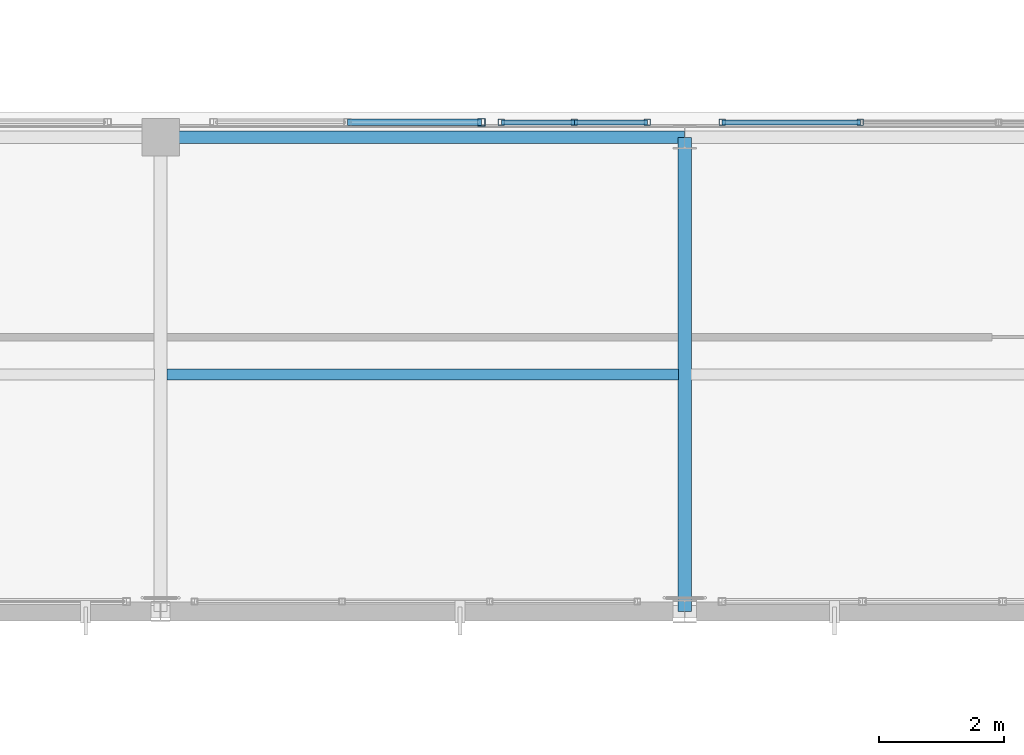
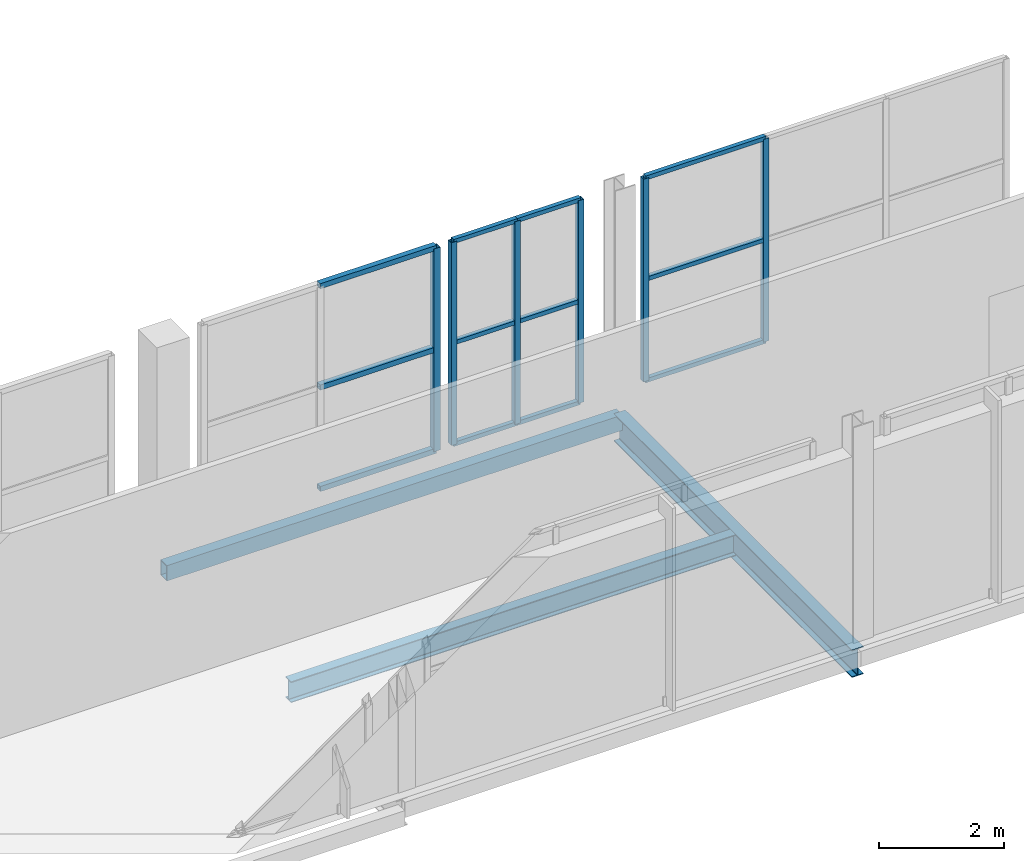
# One storey, part 47 of 217: 18 members, 3 beams, 3 elements without a shape of their own.
"""IFC4 building model written with IfcOpenShell, lengths in metres."""

from ifc_helpers import new_model, si_unit, direction, frame, origin, origin_2d, place, context, subcontext, project, spatial, hollow_rectangle, i_section, extrude, material, material_profile, profile_set, type_object, element, aggregate, save


model = new_model("IFC4")

# Units and contexts
model_context = context("Model", 3, precision=1e-05, world=origin(), true_north=direction((0.0, 1.0)))
body_context = subcontext(model_context, "Body", "Model", "MODEL_VIEW")
ifc_project = project(units=[si_unit("LENGTHUNIT", "METRE"), si_unit("AREAUNIT", "SQUARE_METRE"), si_unit("VOLUMEUNIT", "CUBIC_METRE"), si_unit("PLANEANGLEUNIT", "RADIAN"), si_unit("MASSUNIT", "GRAM", prefix="KILO")], contexts=[model_context])

# Site, building, storey
site_placement = place(None, origin())
site = spatial("IfcSite", under=ifc_project, at=site_placement, CompositionType="ELEMENT")
building_placement = place(site_placement, origin())
building = spatial("IfcBuilding", under=site, at=building_placement, Name="Zuvorla Pavilion Media Centre", CompositionType="ELEMENT")
storey_placement = place(building_placement, frame((0.0, 0.0, 9.60009765625)))
storey = spatial("IfcBuildingStorey", under=building, at=storey_placement, Name="L02", CompositionType="ELEMENT", Elevation=9.60009765625)

# Beams
ifc_material_1 = material(Name="Steel S355", Category="steel")
ifc_material_profile_1 = material_profile(ifc_material_1, hollow_rectangle(XDim=0.199951171875, YDim=0.300048828125, WallThickness=0.012451171875, at=origin_2d()), Name="RHS 300x200x12.5")
ifc_profile_set_1 = profile_set([ifc_material_profile_1], Name="Steel S355")
beam_type_1 = type_object("IfcBeamType", Name="BM-SP-RHS300", PredefinedType="SPANDREL", material=ifc_profile_set_1)
beam_1_placement = place(storey_placement, frame((117.199951171875, 51.60009765625, -0.418212890625), z_axis=(1.0, 0.0, 0.0), x_axis=(0.0, 1.0, 0.0)))
element("IfcBeam", 1, at=beam_1_placement, inside=storey, type_object=beam_type_1, Name="L02 spandrel SP01 847", PredefinedType="SPANDREL", context=body_context, shape_type="SweptSolid", body=[
    extrude(hollow_rectangle(XDim=0.199951171875, YDim=0.300048828125, WallThickness=0.012451171875, at=origin_2d()), origin(), (0.0, 0.0, 1.0), 8.400146484375),
])
ifc_material_profile_2 = material_profile(ifc_material_1, i_section(OverallWidth=0.1787109375, OverallDepth=0.409423828125, WebThickness=0.0087890625, FlangeThickness=0.014404296875, FilletRadius=0.01025390625, at=origin_2d()), Name="UB 406x178x67")
ifc_profile_set_2 = profile_set([ifc_material_profile_2], Name="Steel S355")
beam_type_2 = type_object("IfcBeamType", Name="BM-UB406", PredefinedType="JOIST", material=ifc_profile_set_2)
beam_2_placement = place(storey_placement, frame((117.300048828125, 47.800048828125, -0.472900390625), z_axis=(1.0, 0.0, 0.0), x_axis=(0.0, 1.0, 0.0)))
element("IfcBeam", 2, at=beam_2_placement, inside=storey, type_object=beam_type_2, Name="L02 joist J02 1032", PredefinedType="JOIST", context=body_context, shape_type="SweptSolid", body=[
    extrude(i_section(OverallWidth=0.1787109375, OverallDepth=0.409423828125, WebThickness=0.0087890625, FlangeThickness=0.014404296875, FilletRadius=0.01025390625, at=origin_2d()), origin(), (0.0, 0.0, 1.0), 8.199951171875),
])
ifc_material_profile_3 = material_profile(ifc_material_1, i_section(OverallWidth=0.2099609375, OverallDepth=0.53662109375, WebThickness=0.0107421875, FlangeThickness=0.017333984375, FilletRadius=0.0126953125, at=origin_2d()), Name="UB 533x210x101")
ifc_profile_set_3 = profile_set([ifc_material_profile_3], Name="Steel S355")
beam_type_3 = type_object("IfcBeamType", Name="BM-UB533", PredefinedType="BEAM", material=ifc_profile_set_3)
beam_3_placement = place(storey_placement, frame((125.60009765625, 44.0, -0.536376953125), z_axis=(0.0, 1.0, 0.0), x_axis=(-1.0, 0.0, 0.0)))
element("IfcBeam", 3, at=beam_3_placement, inside=storey, type_object=beam_type_3, Name="L02 beam B08 963", PredefinedType="BEAM", context=body_context, shape_type="SweptSolid", body=[
    extrude(i_section(OverallWidth=0.2099609375, OverallDepth=0.53662109375, WebThickness=0.0107421875, FlangeThickness=0.017333984375, FilletRadius=0.0126953125, at=origin_2d()), origin(), (0.0, 0.0, 1.0), 7.60009765625),
])

# Curtain wall, members
ifc_material_2 = material(Name="Unitised anodised aluminium and solar glass curtain wall", Category="aluminium")
curtain_wall_type_1 = type_object("IfcCurtainWallType", Name="CW-SYS-53", PredefinedType="USERDEFINED", material=ifc_material_2)
curtain_wall_1_placement = place(storey_placement, origin())
curtain_wall_1 = element("IfcCurtainWall", 4, at=curtain_wall_1_placement, inside=storey, type_object=curtain_wall_type_1, Name="L02 curtain wall CW53 79", ObjectType="CURTAIN WALL", PredefinedType="USERDEFINED")
ifc_material_3 = material(Name="Anodised aluminium 6063-T6", Category="aluminium")
ifc_material_profile_4 = material_profile(ifc_material_3, hollow_rectangle(XDim=0.10009765625, YDim=0.10009765625, WallThickness=0.00439453125, at=origin_2d()), Name="ALU MULL 100x100")
ifc_profile_set_4 = profile_set([ifc_material_profile_4], Name="Anodised aluminium 6063-T6")
member_type_1 = type_object("IfcMemberType", Name="CW-MULL-100", PredefinedType="MULLION", material=ifc_profile_set_4)
member_1_placement = place(storey_placement, frame((122.659912109375, 51.840087890625, 0.0), z_axis=(0.0, 0.0, 1.0), x_axis=(1.0, 0.0, 0.0)))
member_1 = element("IfcMember", 5, at=member_1_placement, type_object=member_type_1, Name="CW53 mullion 1", PredefinedType="MULLION", context=body_context, shape_type="SweptSolid", body=[
    extrude(hollow_rectangle(XDim=0.10009765625, YDim=0.10009765625, WallThickness=0.00439453125, at=origin_2d()), origin(), (0.0, 0.0, 1.0), 3.949951171875),
])
member_2_placement = place(storey_placement, frame((123.829833984375, 51.840087890625, 0.0), z_axis=(0.0, 0.0, 1.0), x_axis=(1.0, 0.0, 0.0)))
member_2 = element("IfcMember", 6, at=member_2_placement, type_object=member_type_1, Name="CW53 mullion 2", PredefinedType="MULLION", context=body_context, shape_type="SweptSolid", body=[
    extrude(hollow_rectangle(XDim=0.10009765625, YDim=0.10009765625, WallThickness=0.00439453125, at=origin_2d()), origin(), (0.0, 0.0, 1.0), 3.949951171875),
])
member_3_placement = place(storey_placement, frame((124.999755859375, 51.840087890625, 0.0), z_axis=(0.0, 0.0, 1.0), x_axis=(1.0, 0.0, 0.0)))
member_3 = element("IfcMember", 7, at=member_3_placement, type_object=member_type_1, Name="CW53 mullion 3", PredefinedType="MULLION", context=body_context, shape_type="SweptSolid", body=[
    extrude(hollow_rectangle(XDim=0.10009765625, YDim=0.10009765625, WallThickness=0.00439453125, at=origin_2d()), origin(), (0.0, 0.0, 1.0), 3.949951171875),
])

curtain_wall_type_2 = type_object("IfcCurtainWallType", Name="CW-SYS-54", PredefinedType="USERDEFINED", material=ifc_material_2)
curtain_wall_2_placement = place(storey_placement, origin())
curtain_wall_2 = element("IfcCurtainWall", 8, at=curtain_wall_2_placement, inside=storey, type_object=curtain_wall_type_2, Name="L02 curtain wall CW54 80", ObjectType="CURTAIN WALL", PredefinedType="USERDEFINED")
member_4_placement = place(storey_placement, frame((126.2001953125, 51.840087890625, 0.0), z_axis=(0.0, 0.0, 1.0), x_axis=(1.0, 0.0, 0.0)))
member_4 = element("IfcMember", 9, at=member_4_placement, type_object=member_type_1, Name="CW54 mullion 1", PredefinedType="MULLION", context=body_context, shape_type="SweptSolid", body=[
    extrude(hollow_rectangle(XDim=0.10009765625, YDim=0.10009765625, WallThickness=0.00439453125, at=origin_2d()), origin(), (0.0, 0.0, 1.0), 3.949951171875),
])
member_5_placement = place(storey_placement, frame((128.41357421875, 51.840087890625, 0.0), z_axis=(0.0, 0.0, 1.0), x_axis=(1.0, 0.0, 0.0)))
member_5 = element("IfcMember", 10, at=member_5_placement, type_object=member_type_1, Name="CW54 mullion 2", PredefinedType="MULLION", context=body_context, shape_type="SweptSolid", body=[
    extrude(hollow_rectangle(XDim=0.10009765625, YDim=0.10009765625, WallThickness=0.00439453125, at=origin_2d()), origin(), (0.0, 0.0, 1.0), 3.949951171875),
])

curtain_wall_type_3 = type_object("IfcCurtainWallType", Name="CW-SYS-42", PredefinedType="USERDEFINED", material=ifc_material_2)
curtain_wall_3_placement = place(storey_placement, origin())
curtain_wall_3 = element("IfcCurtainWall", 11, at=curtain_wall_3_placement, inside=storey, type_object=curtain_wall_type_3, Name="L02 curtain wall CW42 76", ObjectType="CURTAIN WALL", PredefinedType="USERDEFINED")
ifc_material_profile_5 = material_profile(ifc_material_3, hollow_rectangle(XDim=0.1201171875, YDim=0.1201171875, WallThickness=0.0048828125, at=origin_2d()), Name="ALU MULL 120x120")
ifc_profile_set_5 = profile_set([ifc_material_profile_5], Name="Anodised aluminium 6063-T6")
member_type_2 = type_object("IfcMemberType", Name="CW-MULL-120", PredefinedType="MULLION", material=ifc_profile_set_5)
member_6_placement = place(storey_placement, frame((122.340087890625, 51.840087890625, 0.0), z_axis=(0.0, 0.0, 1.0), x_axis=(1.0, 0.0, 0.0)))
member_6 = element("IfcMember", 12, at=member_6_placement, type_object=member_type_2, Name="CW42 mullion 3", PredefinedType="MULLION", context=body_context, shape_type="SweptSolid", body=[
    extrude(hollow_rectangle(XDim=0.1201171875, YDim=0.1201171875, WallThickness=0.0048828125, at=origin_2d()), origin(), (0.0, 0.0, 1.0), 3.949951171875),
])
ifc_material_profile_6 = material_profile(ifc_material_3, hollow_rectangle(XDim=0.10009765625, YDim=0.10009765625, WallThickness=0.00439453125, at=origin_2d()), Name="ALU TRAN 100x100")
ifc_profile_set_6 = profile_set([ifc_material_profile_6], Name="Anodised aluminium 6063-T6")
member_type_3 = type_object("IfcMemberType", Name="CW-TRAN-100", PredefinedType="USERDEFINED", material=ifc_profile_set_6)
member_7_placement = place(storey_placement, frame((120.195068359375, 51.840087890625, 0.0), z_axis=(1.0, 0.0, 0.0), x_axis=(0.0, 1.0, 0.0)))
member_7 = element("IfcMember", 13, at=member_7_placement, type_object=member_type_3, Name="CW42 transom 2.1", ObjectType="TRANSOM", PredefinedType="USERDEFINED", context=body_context, shape_type="SweptSolid", body=[
    extrude(hollow_rectangle(XDim=0.10009765625, YDim=0.10009765625, WallThickness=0.00439453125, at=origin_2d()), origin(), (0.0, 0.0, 1.0), 2.14501953125),
])
member_8_placement = place(storey_placement, frame((120.195068359375, 51.840087890625, 1.974853515625), z_axis=(1.0, 0.0, 0.0), x_axis=(0.0, 1.0, 0.0)))
member_8 = element("IfcMember", 14, at=member_8_placement, type_object=member_type_3, Name="CW42 transom 2.2", ObjectType="TRANSOM", PredefinedType="USERDEFINED", context=body_context, shape_type="SweptSolid", body=[
    extrude(hollow_rectangle(XDim=0.10009765625, YDim=0.10009765625, WallThickness=0.00439453125, at=origin_2d()), origin(), (0.0, 0.0, 1.0), 2.14501953125),
])
member_9_placement = place(storey_placement, frame((120.195068359375, 51.840087890625, 3.949951171875), z_axis=(1.0, 0.0, 0.0), x_axis=(0.0, 1.0, 0.0)))
member_9 = element("IfcMember", 15, at=member_9_placement, type_object=member_type_3, Name="CW42 transom 2.3", ObjectType="TRANSOM", PredefinedType="USERDEFINED", context=body_context, shape_type="SweptSolid", body=[
    extrude(hollow_rectangle(XDim=0.10009765625, YDim=0.10009765625, WallThickness=0.00439453125, at=origin_2d()), origin(), (0.0, 0.0, 1.0), 2.14501953125),
])
aggregate(curtain_wall_3, [member_6, member_7, member_8, member_9])

# Member
ifc_material_profile_7 = material_profile(ifc_material_3, hollow_rectangle(XDim=0.080078125, YDim=0.080078125, WallThickness=0.00390625, at=origin_2d()), Name="ALU TRAN 80x80")
ifc_profile_set_7 = profile_set([ifc_material_profile_7], Name="Anodised aluminium 6063-T6")
member_type_4 = type_object("IfcMemberType", Name="CW-TRAN-80", PredefinedType="USERDEFINED", material=ifc_profile_set_7)
member_10_placement = place(storey_placement, frame((122.659912109375, 51.840087890625, 0.0), z_axis=(1.0, 0.0, 0.0), x_axis=(0.0, 1.0, 0.0)))
member_10 = element("IfcMember", 16, at=member_10_placement, type_object=member_type_4, Name="CW53 transom 1.1", ObjectType="TRANSOM", PredefinedType="USERDEFINED", context=body_context, shape_type="SweptSolid", body=[
    extrude(hollow_rectangle(XDim=0.080078125, YDim=0.080078125, WallThickness=0.00390625, at=origin_2d()), origin(), (0.0, 0.0, 1.0), 1.169921875),
])

member_11_placement = place(storey_placement, frame((122.659912109375, 51.840087890625, 1.974853515625), z_axis=(1.0, 0.0, 0.0), x_axis=(0.0, 1.0, 0.0)))
member_11 = element("IfcMember", 17, at=member_11_placement, type_object=member_type_4, Name="CW53 transom 1.2", ObjectType="TRANSOM", PredefinedType="USERDEFINED", context=body_context, shape_type="SweptSolid", body=[
    extrude(hollow_rectangle(XDim=0.080078125, YDim=0.080078125, WallThickness=0.00390625, at=origin_2d()), origin(), (0.0, 0.0, 1.0), 1.169921875),
])

member_12_placement = place(storey_placement, frame((122.659912109375, 51.840087890625, 3.949951171875), z_axis=(1.0, 0.0, 0.0), x_axis=(0.0, 1.0, 0.0)))
member_12 = element("IfcMember", 18, at=member_12_placement, type_object=member_type_4, Name="CW53 transom 1.3", ObjectType="TRANSOM", PredefinedType="USERDEFINED", context=body_context, shape_type="SweptSolid", body=[
    extrude(hollow_rectangle(XDim=0.080078125, YDim=0.080078125, WallThickness=0.00390625, at=origin_2d()), origin(), (0.0, 0.0, 1.0), 1.169921875),
])

member_13_placement = place(storey_placement, frame((123.829833984375, 51.840087890625, 0.0), z_axis=(1.0, 0.0, 0.0), x_axis=(0.0, 1.0, 0.0)))
member_13 = element("IfcMember", 19, at=member_13_placement, type_object=member_type_4, Name="CW53 transom 2.1", ObjectType="TRANSOM", PredefinedType="USERDEFINED", context=body_context, shape_type="SweptSolid", body=[
    extrude(hollow_rectangle(XDim=0.080078125, YDim=0.080078125, WallThickness=0.00390625, at=origin_2d()), origin(), (0.0, 0.0, 1.0), 1.169921875),
])

member_14_placement = place(storey_placement, frame((123.829833984375, 51.840087890625, 1.974853515625), z_axis=(1.0, 0.0, 0.0), x_axis=(0.0, 1.0, 0.0)))
member_14 = element("IfcMember", 20, at=member_14_placement, type_object=member_type_4, Name="CW53 transom 2.2", ObjectType="TRANSOM", PredefinedType="USERDEFINED", context=body_context, shape_type="SweptSolid", body=[
    extrude(hollow_rectangle(XDim=0.080078125, YDim=0.080078125, WallThickness=0.00390625, at=origin_2d()), origin(), (0.0, 0.0, 1.0), 1.169921875),
])

member_15_placement = place(storey_placement, frame((123.829833984375, 51.840087890625, 3.949951171875), z_axis=(1.0, 0.0, 0.0), x_axis=(0.0, 1.0, 0.0)))
member_15 = element("IfcMember", 21, at=member_15_placement, type_object=member_type_4, Name="CW53 transom 2.3", ObjectType="TRANSOM", PredefinedType="USERDEFINED", context=body_context, shape_type="SweptSolid", body=[
    extrude(hollow_rectangle(XDim=0.080078125, YDim=0.080078125, WallThickness=0.00390625, at=origin_2d()), origin(), (0.0, 0.0, 1.0), 1.169921875),
])

aggregate(curtain_wall_1, [member_1, member_2, member_3, member_10, member_11, member_12, member_13, member_14, member_15])

member_16_placement = place(storey_placement, frame((126.2001953125, 51.840087890625, 0.0), z_axis=(1.0, 0.0, 0.0), x_axis=(0.0, 1.0, 0.0)))
member_16 = element("IfcMember", 22, at=member_16_placement, type_object=member_type_4, Name="CW54 transom 1.1", ObjectType="TRANSOM", PredefinedType="USERDEFINED", context=body_context, shape_type="SweptSolid", body=[
    extrude(hollow_rectangle(XDim=0.080078125, YDim=0.080078125, WallThickness=0.00390625, at=origin_2d()), origin(), (0.0, 0.0, 1.0), 2.21337890625),
])

member_17_placement = place(storey_placement, frame((126.2001953125, 51.840087890625, 1.974853515625), z_axis=(1.0, 0.0, 0.0), x_axis=(0.0, 1.0, 0.0)))
member_17 = element("IfcMember", 23, at=member_17_placement, type_object=member_type_4, Name="CW54 transom 1.2", ObjectType="TRANSOM", PredefinedType="USERDEFINED", context=body_context, shape_type="SweptSolid", body=[
    extrude(hollow_rectangle(XDim=0.080078125, YDim=0.080078125, WallThickness=0.00390625, at=origin_2d()), origin(), (0.0, 0.0, 1.0), 2.21337890625),
])

member_18_placement = place(storey_placement, frame((126.2001953125, 51.840087890625, 3.949951171875), z_axis=(1.0, 0.0, 0.0), x_axis=(0.0, 1.0, 0.0)))
member_18 = element("IfcMember", 24, at=member_18_placement, type_object=member_type_4, Name="CW54 transom 1.3", ObjectType="TRANSOM", PredefinedType="USERDEFINED", context=body_context, shape_type="SweptSolid", body=[
    extrude(hollow_rectangle(XDim=0.080078125, YDim=0.080078125, WallThickness=0.00390625, at=origin_2d()), origin(), (0.0, 0.0, 1.0), 2.21337890625),
])

aggregate(curtain_wall_2, [member_4, member_5, member_16, member_17, member_18])

save(model, "model.ifc")
